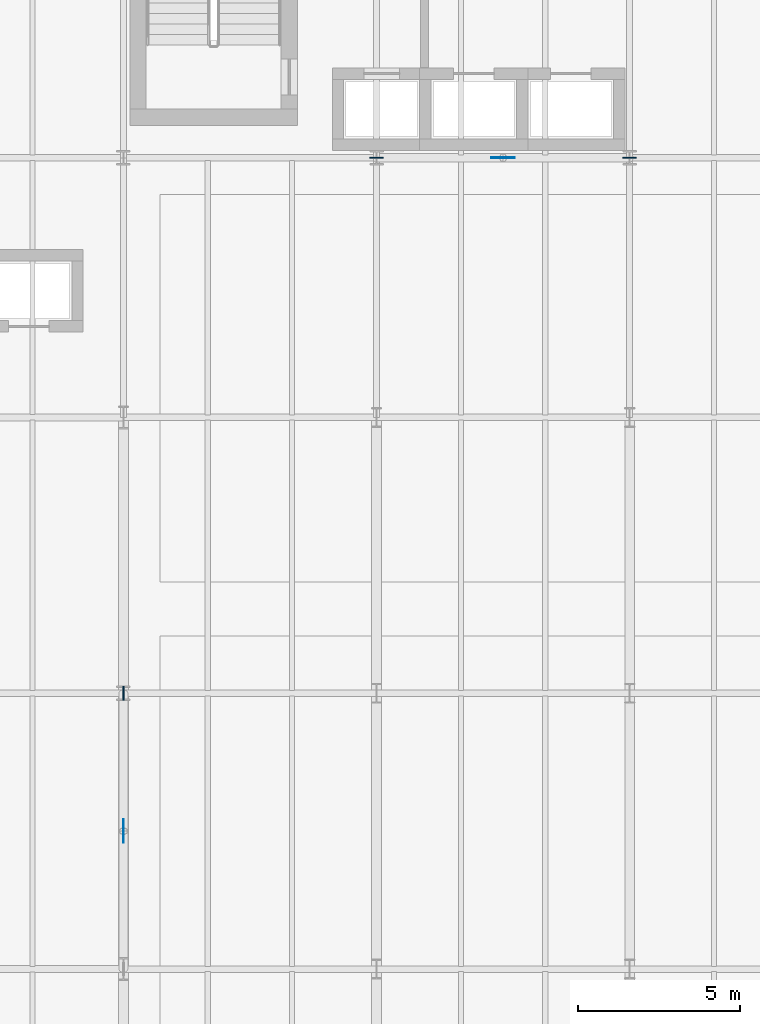
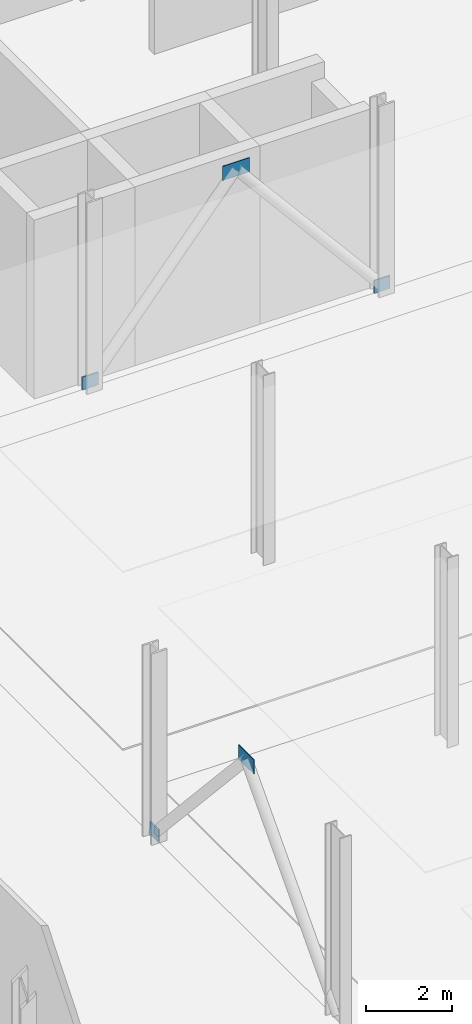
# One storey, part 48 of 78: 5 plates.
"""IFC4 building model written with IfcOpenShell, lengths in metres."""

from ifc_helpers import new_model, si_unit, direction, frame, origin, origin_2d, place, context, subcontext, project, spatial, rectangle, extrude, material, layer, layer_set, type_object, element, save


model = new_model("IFC4")

# Units and contexts
model_context = context("Model", 3, precision=1e-05, world=origin(), true_north=direction((0.0, 1.0)))
body_context = subcontext(model_context, "Body", "Model", "MODEL_VIEW")
ifc_project = project(units=[si_unit("LENGTHUNIT", "METRE"), si_unit("AREAUNIT", "SQUARE_METRE"), si_unit("VOLUMEUNIT", "CUBIC_METRE"), si_unit("PLANEANGLEUNIT", "RADIAN"), si_unit("MASSUNIT", "GRAM", prefix="KILO")], contexts=[model_context])

# Site, building, storey
site_placement = place(None, origin())
site = spatial("IfcSite", under=ifc_project, at=site_placement, CompositionType="ELEMENT")
building_placement = place(site_placement, origin())
building = spatial("IfcBuilding", under=site, at=building_placement, Name="Sefraquen Railside Congress Hotel", CompositionType="ELEMENT")
storey_placement = place(building_placement, frame((0.0, 0.0, 6.0)))
storey = spatial("IfcBuildingStorey", under=building, at=storey_placement, Name="L01", CompositionType="ELEMENT", Elevation=6.0)

# Plates
ifc_material = material(Name="Steel S355J2", Category="steel")
ifc_layer_1 = layer(ifc_material, 0.02001953125)
ifc_layer_set_1 = layer_set([ifc_layer_1], Name="Steel S355J2")
plate_type_1 = type_object("IfcPlateType", Name="TP-GUS-01", PredefinedType="SHEET", material=ifc_layer_set_1)
for number, where, z_axis, x_axis, name in (
    (1, (36.89990234375, 96.0, 4.60009765625), (0.0, 0.0, 1.0), (1.0, 0.0, 0.0), "Chevron braced-frame apex gusset plate BF1 L01"),
    (2, (25.199951171875, 75.25, 4.60009765625), (0.0, 0.0, 1.0), (0.0, 1.0, 0.0), "Chevron braced-frame apex gusset plate BF2 L01"),
):
    element("IfcPlate", number, at=place(storey_placement, frame(where, z_axis=z_axis, x_axis=x_axis)), inside=storey, type_object=plate_type_1, Name=name, PredefinedType="SHEET", context=body_context, shape_type="SweptSolid", body=[
        extrude(rectangle(XDim=0.719970703125, YDim=0.02001953125, at=origin_2d()), origin(), (0.0, 0.0, 1.0), 0.39990234375),
    ])
ifc_layer_2 = layer(ifc_material, 0.0400390625)
ifc_layer_set_2 = layer_set([ifc_layer_2], Name="Steel S355J2")
plate_type_2 = type_object("IfcPlateType", Name="TP-GUS-02", PredefinedType="SHEET", material=ifc_layer_set_2)
for number, where, z_axis, x_axis, name in (
    (3, (33.0, 96.0, 0.0), (0.0, 0.0, 1.0), (1.0, 0.0, 0.0), "Chevron braced-frame base gusset plate BF1-L L01"),
    (4, (40.800048828125, 96.0, 0.0), (0.0, 0.0, 1.0), (1.0, 0.0, 0.0), "Chevron braced-frame base gusset plate BF1-R L01"),
    (5, (25.199951171875, 79.5, 0.0), (0.0, 0.0, 1.0), (0.0, 1.0, 0.0), "Chevron braced-frame base gusset plate BF2-R L01"),
):
    element("IfcPlate", number, at=place(storey_placement, frame(where, z_axis=z_axis, x_axis=x_axis)), inside=storey, type_object=plate_type_2, Name=name, PredefinedType="SHEET", context=body_context, shape_type="SweptSolid", body=[
        extrude(rectangle(XDim=0.419921875, YDim=0.0400390625, at=origin_2d()), origin(), (0.0, 0.0, 1.0), 0.360107421875),
    ])

save(model, "model.ifc")
